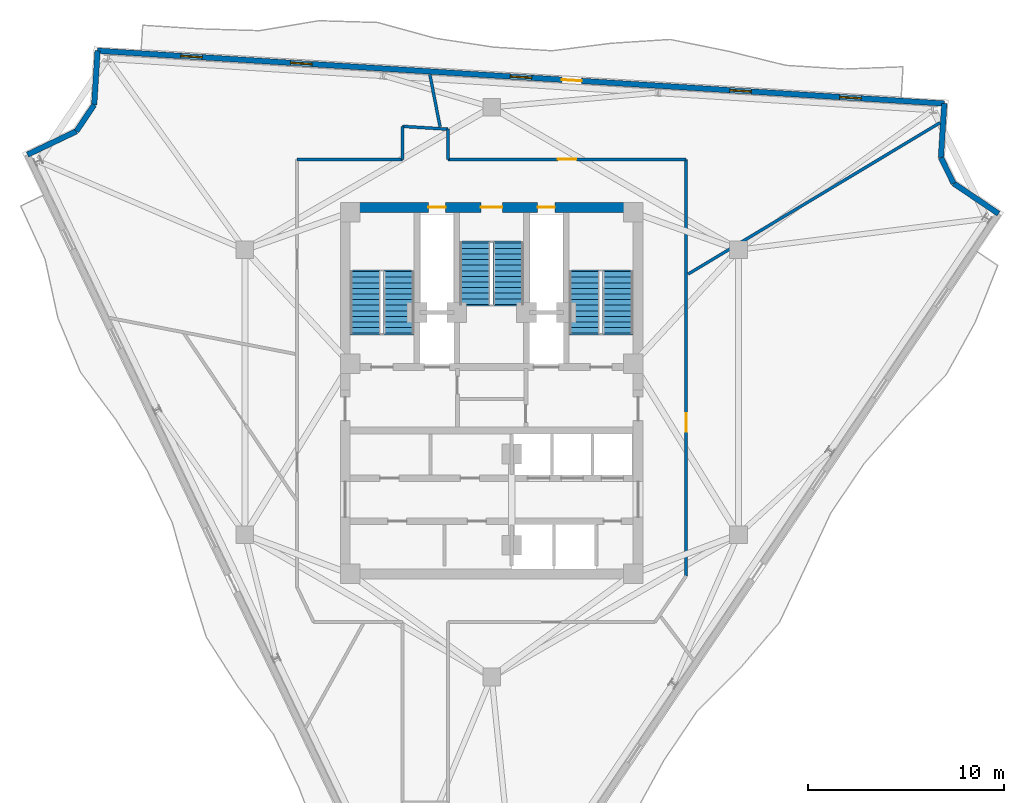
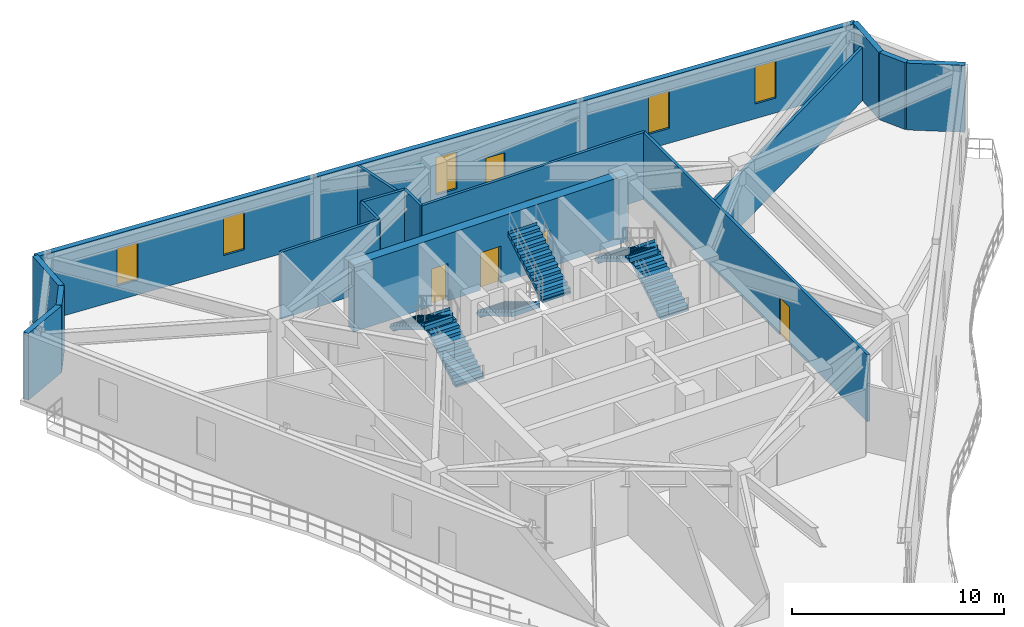
# One storey, part 7 of 10: 16 walls, 6 doors, 6 stair flights, 5 windows, 11 openings, 3 elements without a shape of their own.
"""IFC4 building model written with IfcOpenShell, lengths in metres."""

from ifc_helpers import new_model, si_unit, direction, frame, frame_2d, origin, place, context, subcontext, project, spatial, polyline, rectangle, outline, extrude, material, layer, layer_set, type_object, element, fill, aggregate, save


model = new_model("IFC4")

# Units and contexts
model_context = context("Model", 3, precision=1e-05, world=origin(), true_north=direction((0.0, 1.0)))
body_context = subcontext(model_context, "Body", "Model", "MODEL_VIEW")
ifc_project = project(units=[si_unit("LENGTHUNIT", "METRE"), si_unit("AREAUNIT", "SQUARE_METRE"), si_unit("VOLUMEUNIT", "CUBIC_METRE"), si_unit("PLANEANGLEUNIT", "RADIAN"), si_unit("MASSUNIT", "GRAM", prefix="KILO")], contexts=[model_context])

# Site, building, storey
site_placement = place(None, origin())
site = spatial("IfcSite", under=ifc_project, at=site_placement, CompositionType="ELEMENT")
building_placement = place(site_placement, origin())
building = spatial("IfcBuilding", under=site, at=building_placement, Name="Apsidion Concourse Tower", CompositionType="ELEMENT")
storey_placement = place(building_placement, frame((0.0, 0.0, 298.300048828125)))
storey = spatial("IfcBuildingStorey", under=building, at=storey_placement, Name="L70", CompositionType="ELEMENT", Elevation=298.300048828125)

# Wall, openings, door, windows
ifc_material_1 = material(Name="Precast concrete C40/50", Category="concrete")
ifc_layer_1 = layer(ifc_material_1, 0.280029296875)
ifc_layer_set_1 = layer_set([ifc_layer_1], Name="Precast concrete C40/50")
wall_type_1 = type_object("IfcWallType", Name="WL-EXT-280", PredefinedType="STANDARD", material=ifc_layer_set_1)
wall_1_placement = place(storey_placement, frame((-20.056396484375, 17.376220703125, 0.0), z_axis=(0.0, 0.0, 1.0), x_axis=(0.998061236898, -0.06223959674, 0.0)))
wall_1 = element("IfcWall", 1, at=wall_1_placement, inside=storey, type_object=wall_type_1, Name="L70 Precast Stone Facade Wall 01", PredefinedType="STANDARD", context=body_context, shape_type="SweptSolid", body=[
    extrude(rectangle(XDim=43.179931640625, YDim=0.280029296875, at=frame_2d((21.58984375, 0.0))), origin(), (0.0, 0.0, 1.0), 3.849853515625),
])
opening_1_placement = place(wall_1_placement, frame((23.680908203125, 0.0, 0.0)))
opening_1 = element("IfcOpeningElement", 2, at=opening_1_placement, cuts=wall_1, Name="Opening D-T1L", PredefinedType="OPENING", context=body_context, shape_type="SweptSolid", body=[
    extrude(rectangle(XDim=1.0, YDim=2.14990234375, at=frame_2d((0.5, 1.074951171875))), frame((0.0, 0.14990234375, 0.0), z_axis=(0.0, -1.0, 0.0), x_axis=(1.0, 0.0, 0.0)), (0.0, 0.0, 1.0), 0.300048828125),
])
opening_2_placement = place(wall_1_placement, frame((4.239990234375, 0.0, 0.85009765625)))
opening_2 = element("IfcOpeningElement", 3, at=opening_2_placement, cuts=wall_1, Name="Opening WN-07", PredefinedType="OPENING", context=body_context, shape_type="SweptSolid", body=[
    extrude(rectangle(XDim=1.10009765625, YDim=2.14990234375, at=frame_2d((0.550048828125, 1.074951171875))), frame((0.0, 0.14990234375, 0.0), z_axis=(0.0, -1.0, 0.0), x_axis=(1.0, 0.0, 0.0)), (0.0, 0.0, 1.0), 0.300048828125),
])
opening_3_placement = place(wall_1_placement, frame((9.840087890625, 0.0, 0.85009765625)))
opening_3 = element("IfcOpeningElement", 4, at=opening_3_placement, cuts=wall_1, Name="Opening WN-07", PredefinedType="OPENING", context=body_context, shape_type="SweptSolid", body=[
    extrude(rectangle(XDim=1.10009765625, YDim=2.14990234375, at=frame_2d((0.550048828125, 1.074951171875))), frame((0.0, 0.14990234375, 0.0), z_axis=(0.0, -1.0, 0.0), x_axis=(1.0, 0.0, 0.0)), (0.0, 0.0, 1.0), 0.300048828125),
])
opening_4_placement = place(wall_1_placement, frame((21.0400390625, 0.0, 0.85009765625)))
opening_4 = element("IfcOpeningElement", 5, at=opening_4_placement, cuts=wall_1, Name="Opening WN-07", PredefinedType="OPENING", context=body_context, shape_type="SweptSolid", body=[
    extrude(rectangle(XDim=1.10009765625, YDim=2.14990234375, at=frame_2d((0.550048828125, 1.074951171875))), frame((0.0, 0.14990234375, 0.0), z_axis=(0.0, -1.0, 0.0), x_axis=(1.0, 0.0, 0.0)), (0.0, 0.0, 1.0), 0.300048828125),
])
opening_5_placement = place(wall_1_placement, frame((32.239990234375, 0.0, 0.85009765625)))
opening_5 = element("IfcOpeningElement", 6, at=opening_5_placement, cuts=wall_1, Name="Opening WN-07", PredefinedType="OPENING", context=body_context, shape_type="SweptSolid", body=[
    extrude(rectangle(XDim=1.10009765625, YDim=2.14990234375, at=frame_2d((0.550048828125, 1.074951171875))), frame((0.0, 0.14990234375, 0.0), z_axis=(0.0, -1.0, 0.0), x_axis=(1.0, 0.0, 0.0)), (0.0, 0.0, 1.0), 0.300048828125),
])
opening_6_placement = place(wall_1_placement, frame((37.840087890625, 0.0, 0.85009765625)))
opening_6 = element("IfcOpeningElement", 7, at=opening_6_placement, cuts=wall_1, Name="Opening WN-07", PredefinedType="OPENING", context=body_context, shape_type="SweptSolid", body=[
    extrude(rectangle(XDim=1.10009765625, YDim=2.14990234375, at=frame_2d((0.550048828125, 1.074951171875))), frame((0.0, 0.14990234375, 0.0), z_axis=(0.0, -1.0, 0.0), x_axis=(1.0, 0.0, 0.0)), (0.0, 0.0, 1.0), 0.300048828125),
])
ifc_material_2 = material(Name="Anodised aluminium EN AW-6063 T6", Category="aluminium")
door_type_1 = type_object("IfcDoorType", Name="DR-TER-1022L", OperationType="SINGLE_SWING_LEFT", PredefinedType="DOOR", material=ifc_material_2)
door_1_placement = place(opening_1_placement, origin())
door_1 = element("IfcDoor", 8, at=door_1_placement, inside=storey, type_object=door_type_1, Name="L70 Balcony Access Door 3", OperationType="SINGLE_SWING_LEFT", OverallHeight=2.14990234375, OverallWidth=1.0, PredefinedType="DOOR", context=body_context, shape_type="SweptSolid", body=[
    extrude(rectangle(XDim=1.0, YDim=2.14990234375, at=frame_2d((0.5, 1.074951171875))), frame((0.0, 0.02490234375, 0.0), z_axis=(0.0, -1.0, 0.0), x_axis=(1.0, 0.0, 0.0)), (0.0, 0.0, 1.0), 0.050048828125),
])
fill(opening_1, door_1)
ifc_material_3 = material(Name="Insulated laminated low-E glass", Category="glass")
window_type = type_object("IfcWindowType", Name="WN-OFF-1123", PartitioningType="SINGLE_PANEL", PredefinedType="WINDOW", material=ifc_material_3)
window_1_placement = place(opening_2_placement, origin())
window_1 = element("IfcWindow", 9, at=window_1_placement, inside=storey, type_object=window_type, Name="L70 Punched Facade Window 1-01", OverallHeight=2.14990234375, OverallWidth=1.10009765625, PartitioningType="SINGLE_PANEL", PredefinedType="WINDOW", context=body_context, shape_type="SweptSolid", body=[
    extrude(rectangle(XDim=1.10009765625, YDim=2.14990234375, at=frame_2d((0.550048828125, 1.074951171875))), frame((0.0, 0.030029296875, 0.0), z_axis=(0.0, -1.0, 0.0), x_axis=(1.0, 0.0, 0.0)), (0.0, 0.0, 1.0), 0.06005859375),
])
fill(opening_2, window_1)
window_2_placement = place(opening_3_placement, origin())
window_2 = element("IfcWindow", 10, at=window_2_placement, inside=storey, type_object=window_type, Name="L70 Punched Facade Window 1-02", OverallHeight=2.14990234375, OverallWidth=1.10009765625, PartitioningType="SINGLE_PANEL", PredefinedType="WINDOW", context=body_context, shape_type="SweptSolid", body=[
    extrude(rectangle(XDim=1.10009765625, YDim=2.14990234375, at=frame_2d((0.550048828125, 1.074951171875))), frame((0.0, 0.030029296875, 0.0), z_axis=(0.0, -1.0, 0.0), x_axis=(1.0, 0.0, 0.0)), (0.0, 0.0, 1.0), 0.06005859375),
])
fill(opening_3, window_2)
window_3_placement = place(opening_4_placement, origin())
window_3 = element("IfcWindow", 11, at=window_3_placement, inside=storey, type_object=window_type, Name="L70 Punched Facade Window 1-04", OverallHeight=2.14990234375, OverallWidth=1.10009765625, PartitioningType="SINGLE_PANEL", PredefinedType="WINDOW", context=body_context, shape_type="SweptSolid", body=[
    extrude(rectangle(XDim=1.10009765625, YDim=2.14990234375, at=frame_2d((0.550048828125, 1.074951171875))), frame((0.0, 0.030029296875, 0.0), z_axis=(0.0, -1.0, 0.0), x_axis=(1.0, 0.0, 0.0)), (0.0, 0.0, 1.0), 0.06005859375),
])
fill(opening_4, window_3)
window_4_placement = place(opening_5_placement, origin())
window_4 = element("IfcWindow", 12, at=window_4_placement, inside=storey, type_object=window_type, Name="L70 Punched Facade Window 1-06", OverallHeight=2.14990234375, OverallWidth=1.10009765625, PartitioningType="SINGLE_PANEL", PredefinedType="WINDOW", context=body_context, shape_type="SweptSolid", body=[
    extrude(rectangle(XDim=1.10009765625, YDim=2.14990234375, at=frame_2d((0.550048828125, 1.074951171875))), frame((0.0, 0.030029296875, 0.0), z_axis=(0.0, -1.0, 0.0), x_axis=(1.0, 0.0, 0.0)), (0.0, 0.0, 1.0), 0.06005859375),
])
fill(opening_5, window_4)
window_5_placement = place(opening_6_placement, origin())
window_5 = element("IfcWindow", 13, at=window_5_placement, inside=storey, type_object=window_type, Name="L70 Punched Facade Window 1-07", OverallHeight=2.14990234375, OverallWidth=1.10009765625, PartitioningType="SINGLE_PANEL", PredefinedType="WINDOW", context=body_context, shape_type="SweptSolid", body=[
    extrude(rectangle(XDim=1.10009765625, YDim=2.14990234375, at=frame_2d((0.550048828125, 1.074951171875))), frame((0.0, 0.030029296875, 0.0), z_axis=(0.0, -1.0, 0.0), x_axis=(1.0, 0.0, 0.0)), (0.0, 0.0, 1.0), 0.06005859375),
])
fill(opening_6, window_5)

# Walls
wall_2_placement = place(storey_placement, frame((23.039794921875, 14.688720703125, 0.0), z_axis=(0.0, 0.0, 1.0), x_axis=(-0.062295651102, -0.998057739739, 0.0)))
element("IfcWall", 14, at=wall_2_placement, inside=storey, type_object=wall_type_1, Name="L70 Precast Stone Facade Wall 02", PredefinedType="STANDARD", context=body_context, shape_type="SweptSolid", body=[
    extrude(rectangle(XDim=2.759033203125, YDim=0.280029296875, at=frame_2d((1.37939453125, 0.0))), origin(), (0.0, 0.0, 1.0), 3.849853515625),
])
wall_3_placement = place(storey_placement, frame((22.867919921875, 11.93505859375, 0.0), z_axis=(0.0, 0.0, 1.0), x_axis=(0.441785524615, -0.897120699929, 0.0)))
element("IfcWall", 15, at=wall_3_placement, inside=storey, type_object=wall_type_1, Name="L70 Precast Stone Facade Wall 03", PredefinedType="STANDARD", context=body_context, shape_type="SweptSolid", body=[
    extrude(rectangle(XDim=1.45947265625, YDim=0.280029296875, at=frame_2d((0.729736328125, 0.0))), origin(), (0.0, 0.0, 1.0), 3.849853515625),
])
wall_4_placement = place(storey_placement, frame((23.5126953125, 10.625732421875, 0.0), z_axis=(0.0, 0.0, 1.0), x_axis=(0.829056864924, -0.559164300294, 0.0)))
element("IfcWall", 16, at=wall_4_placement, inside=storey, type_object=wall_type_1, Name="L70 Precast Stone Facade Wall 04", PredefinedType="STANDARD", context=body_context, shape_type="SweptSolid", body=[
    extrude(rectangle(XDim=2.759033203125, YDim=0.280029296875, at=frame_2d((1.37939453125, 0.0))), origin(), (0.0, 0.0, 1.0), 3.849853515625),
])
wall_5_placement = place(storey_placement, frame((-23.62451171875, 12.0869140625, 0.0), z_axis=(0.0, 0.0, 1.0), x_axis=(0.902092306117, 0.431543127909, 0.0)))
element("IfcWall", 17, at=wall_5_placement, inside=storey, type_object=wall_type_1, Name="L70 Precast Stone Facade Wall 10", PredefinedType="STANDARD", context=body_context, shape_type="SweptSolid", body=[
    extrude(rectangle(XDim=2.76025390625, YDim=0.280029296875, at=frame_2d((1.380126953125, 0.0))), origin(), (0.0, 0.0, 1.0), 3.849853515625),
])
wall_6_placement = place(storey_placement, frame((-21.134521484375, 13.278076171875, 0.0), z_axis=(0.0, 0.0, 1.0), x_axis=(0.559107950815, 0.829094867512, 0.0)))
element("IfcWall", 18, at=wall_6_placement, inside=storey, type_object=wall_type_1, Name="L70 Precast Stone Facade Wall 11", PredefinedType="STANDARD", context=body_context, shape_type="SweptSolid", body=[
    extrude(rectangle(XDim=1.620361328125, YDim=0.280029296875, at=frame_2d((0.81005859375, 0.0))), origin(), (0.0, 0.0, 1.0), 3.849853515625),
])
wall_7_placement = place(storey_placement, frame((-20.228515625, 14.62158203125, 0.0), z_axis=(0.0, 0.0, 1.0), x_axis=(0.062361765106, 0.998053610911, 0.0)))
element("IfcWall", 19, at=wall_7_placement, inside=storey, type_object=wall_type_1, Name="L70 Precast Stone Facade Wall 12", PredefinedType="STANDARD", context=body_context, shape_type="SweptSolid", body=[
    extrude(rectangle(XDim=2.760009765625, YDim=0.280029296875, at=frame_2d((1.3798828125, 0.0))), origin(), (0.0, 0.0, 1.0), 3.849853515625),
])
ifc_material_4 = material(Name="Gypsum plasterboard partition")
ifc_layer_2 = layer(ifc_material_4, 0.14990234375)
ifc_layer_set_2 = layer_set([ifc_layer_2], Name="Gypsum plasterboard partition")
wall_type_2 = type_object("IfcWallType", Name="WL-INT-PAR-150", PredefinedType="PARTITIONING", material=ifc_layer_set_2)
wall_8_placement = place(storey_placement, frame((-9.89990234375, 11.85009765625, 0.0), z_axis=(0.0, 0.0, 1.0), x_axis=(1.0, 0.0, 0.0)))
element("IfcWall", 20, at=wall_8_placement, inside=storey, type_object=wall_type_2, Name="L70 Interior Partition WL-L70-CORR-04", PredefinedType="PARTITIONING", context=body_context, shape_type="SweptSolid", body=[
    extrude(rectangle(XDim=5.369873046875, YDim=0.14990234375, at=frame_2d((2.68505859375, 0.0))), origin(), (0.0, 0.0, 1.0), 3.849853515625),
])
wall_9_placement = place(storey_placement, frame((-4.530029296875, 11.85009765625, 0.0), z_axis=(0.0, 0.0, 1.0), x_axis=(0.0, 1.0, 0.0)))
element("IfcWall", 21, at=wall_9_placement, inside=storey, type_object=wall_type_2, Name="L70 Interior Partition WL-L70-CORR-05", PredefinedType="PARTITIONING", context=body_context, shape_type="SweptSolid", body=[
    extrude(rectangle(XDim=1.67724609375, YDim=0.14990234375, at=frame_2d((0.838623046875, 0.0))), origin(), (0.0, 0.0, 1.0), 3.849853515625),
])
wall_10_placement = place(storey_placement, frame((-4.530029296875, 13.52734375, 0.0), z_axis=(0.0, 0.0, 1.0), x_axis=(0.998061597532, -0.062233813416, 0.0)))
element("IfcWall", 22, at=wall_10_placement, inside=storey, type_object=wall_type_2, Name="L70 Interior Partition WL-L70-CORR-06", PredefinedType="PARTITIONING", context=body_context, shape_type="SweptSolid", body=[
    extrude(rectangle(XDim=2.314453125, YDim=0.14990234375, at=frame_2d((1.1572265625, 0.0))), origin(), (0.0, 0.0, 1.0), 3.849853515625),
])
wall_11_placement = place(storey_placement, frame((-2.219970703125, 13.38330078125, 0.0), z_axis=(0.0, 0.0, 1.0), x_axis=(0.0, -1.0, 0.0)))
element("IfcWall", 23, at=wall_11_placement, inside=storey, type_object=wall_type_2, Name="L70 Interior Partition WL-L70-CORR-07", PredefinedType="PARTITIONING", context=body_context, shape_type="SweptSolid", body=[
    extrude(rectangle(XDim=1.533203125, YDim=0.14990234375, at=frame_2d((0.7666015625, 0.0))), origin(), (0.0, 0.0, 1.0), 3.849853515625),
])

# Wall, opening, door
wall_12_placement = place(storey_placement, frame((-2.219970703125, 11.85009765625, 0.0), z_axis=(0.0, 0.0, 1.0), x_axis=(1.0, 0.0, 0.0)))
wall_12 = element("IfcWall", 24, at=wall_12_placement, inside=storey, type_object=wall_type_2, Name="L70 Interior Partition WL-L70-CORR-08", PredefinedType="PARTITIONING", context=body_context, shape_type="SweptSolid", body=[
    extrude(rectangle(XDim=12.119873046875, YDim=0.14990234375, at=frame_2d((6.06005859375, 0.0))), origin(), (0.0, 0.0, 1.0), 3.849853515625),
])
opening_7_placement = place(wall_12_placement, frame((5.5849609375, 0.0, 0.0)))
opening_7 = element("IfcOpeningElement", 25, at=opening_7_placement, cuts=wall_12, Name="Opening D-01R", PredefinedType="OPENING", context=body_context, shape_type="SweptSolid", body=[
    extrude(rectangle(XDim=0.949951171875, YDim=2.14990234375, at=frame_2d((0.47509765625, 1.074951171875))), frame((0.0, 0.0849609375, 0.0), z_axis=(0.0, -1.0, 0.0), x_axis=(1.0, 0.0, 0.0)), (0.0, 0.0, 1.0), 0.169921875),
])
ifc_material_5 = material(Name="Brushed stainless steel 316", Category="steel")
door_type_2 = type_object("IfcDoorType", Name="DR-INT-D01R", OperationType="SINGLE_SWING_RIGHT", PredefinedType="DOOR", material=ifc_material_5)
door_2_placement = place(opening_7_placement, origin())
door_2 = element("IfcDoor", 26, at=door_2_placement, inside=storey, type_object=door_type_2, Name="L70 Corridor Entry Door 04", OperationType="SINGLE_SWING_RIGHT", OverallHeight=2.14990234375, OverallWidth=0.949951171875, PredefinedType="DOOR", context=body_context, shape_type="SweptSolid", body=[
    extrude(rectangle(XDim=0.949951171875, YDim=2.14990234375, at=frame_2d((0.47509765625, 1.074951171875))), frame((0.0, 0.02490234375, 0.0), z_axis=(0.0, -1.0, 0.0), x_axis=(1.0, 0.0, 0.0)), (0.0, 0.0, 1.0), 0.050048828125),
])
fill(opening_7, door_2)

wall_13_placement = place(storey_placement, frame((9.89990234375, 11.85009765625, 0.0), z_axis=(0.0, 0.0, 1.0), x_axis=(0.0, -1.0, 0.0)))
wall_13 = element("IfcWall", 27, at=wall_13_placement, inside=storey, type_object=wall_type_2, Name="L70 Interior Partition WL-L70-CORR-09", PredefinedType="PARTITIONING", context=body_context, shape_type="SweptSolid", body=[
    extrude(rectangle(XDim=21.198486328125, YDim=0.14990234375, at=frame_2d((10.59912109375, 0.0))), origin(), (0.0, 0.0, 1.0), 3.849853515625),
])
opening_8_placement = place(wall_13_placement, frame((12.92041015625, 0.0, 0.0)))
opening_8 = element("IfcOpeningElement", 28, at=opening_8_placement, cuts=wall_13, Name="Opening D-01L", PredefinedType="OPENING", context=body_context, shape_type="SweptSolid", body=[
    extrude(rectangle(XDim=0.949951171875, YDim=2.14990234375, at=frame_2d((0.47509765625, 1.074951171875))), frame((0.0, 0.0849609375, 0.0), z_axis=(0.0, -1.0, 0.0), x_axis=(1.0, 0.0, 0.0)), (0.0, 0.0, 1.0), 0.169921875),
])
door_type_3 = type_object("IfcDoorType", Name="DR-INT-D01L", OperationType="SINGLE_SWING_LEFT", PredefinedType="DOOR", material=ifc_material_5)
door_3_placement = place(opening_8_placement, origin())
door_3 = element("IfcDoor", 29, at=door_3_placement, inside=storey, type_object=door_type_3, Name="L70 Corridor Entry Door 03", OperationType="SINGLE_SWING_LEFT", OverallHeight=2.14990234375, OverallWidth=0.949951171875, PredefinedType="DOOR", context=body_context, shape_type="SweptSolid", body=[
    extrude(rectangle(XDim=0.949951171875, YDim=2.14990234375, at=frame_2d((0.47509765625, 1.074951171875))), frame((0.0, 0.02490234375, 0.0), z_axis=(0.0, -1.0, 0.0), x_axis=(1.0, 0.0, 0.0)), (0.0, 0.0, 1.0), 0.050048828125),
])
fill(opening_8, door_3)

# Walls
wall_14_placement = place(storey_placement, frame((10.0048828125, 6.01171875, 0.0), z_axis=(0.0, 0.0, 1.0), x_axis=(0.857168647031, 0.515035834236, 0.0)))
element("IfcWall", 30, at=wall_14_placement, inside=storey, type_object=wall_type_2, Name="L70 Interior Partition WL-L70-RAD-01-1", PredefinedType="PARTITIONING", context=body_context, shape_type="SweptSolid", body=[
    extrude(rectangle(XDim=14.95458984375, YDim=0.14990234375, at=frame_2d((7.477294921875, 0.0))), origin(), (0.0, 0.0, 1.0), 3.06005859375),
])
wall_15_placement = place(storey_placement, frame((-2.626708984375, 13.513916015625, 0.0), z_axis=(0.0, 0.0, 1.0), x_axis=(-0.190830963929, 0.981622912939, 0.0)))
element("IfcWall", 31, at=wall_15_placement, inside=storey, type_object=wall_type_2, Name="L70 Interior Partition WL-L70-RAD-02-1", PredefinedType="PARTITIONING", context=body_context, shape_type="SweptSolid", body=[
    extrude(rectangle(XDim=2.701904296875, YDim=0.14990234375, at=frame_2d((1.35107421875, 0.0))), origin(), (0.0, 0.0, 1.0), 3.849853515625),
])

# Wall, openings, doors
ifc_material_6 = material(Name="Concrete C50/60", Category="concrete")
ifc_layer_3 = layer(ifc_material_6, 0.5)
ifc_layer_set_3 = layer_set([ifc_layer_3], Name="Concrete C50/60")
wall_type_3 = type_object("IfcWallType", Name="WL-SH-500", PredefinedType="SHEAR", material=ifc_layer_set_3)
wall_16_placement = place(storey_placement, frame((-7.449951171875, 9.39990234375, 0.0), z_axis=(0.0, 0.0, 1.0), x_axis=(1.0, 0.0, 0.0)))
wall_16 = element("IfcWall", 32, at=wall_16_placement, inside=storey, type_object=wall_type_3, Name="L70 Central Core Shear Wall N", PredefinedType="SHEAR", context=body_context, shape_type="SweptSolid", body=[
    extrude(rectangle(XDim=14.89990234375, YDim=0.5, at=frame_2d((7.449951171875, 0.0))), origin(), (0.0, 0.0, 1.0), 3.849853515625),
])
opening_9_placement = place(wall_16_placement, frame((6.89990234375, 0.0, 0.0)))
opening_9 = element("IfcOpeningElement", 33, at=opening_9_placement, cuts=wall_16, Name="Opening D-STL", PredefinedType="OPENING", context=body_context, shape_type="SweptSolid", body=[
    extrude(rectangle(XDim=1.10009765625, YDim=2.14990234375, at=frame_2d((0.550048828125, 1.074951171875))), frame((0.0, 0.260009765625, 0.0), z_axis=(0.0, -1.0, 0.0), x_axis=(1.0, 0.0, 0.0)), (0.0, 0.0, 1.0), 0.52001953125),
])
opening_10_placement = place(wall_16_placement, frame((4.22998046875, 0.0, 0.0)))
opening_10 = element("IfcOpeningElement", 34, at=opening_10_placement, cuts=wall_16, Name="Opening D-05L", PredefinedType="OPENING", context=body_context, shape_type="SweptSolid", body=[
    extrude(rectangle(XDim=0.8798828125, YDim=2.14990234375, at=frame_2d((0.43994140625, 1.074951171875))), frame((0.0, 0.260009765625, 0.0), z_axis=(0.0, -1.0, 0.0), x_axis=(1.0, 0.0, 0.0)), (0.0, 0.0, 1.0), 0.52001953125),
])
opening_11_placement = place(wall_16_placement, frame((9.7900390625, 0.0, 0.0)))
opening_11 = element("IfcOpeningElement", 35, at=opening_11_placement, cuts=wall_16, Name="Opening D-05R", PredefinedType="OPENING", context=body_context, shape_type="SweptSolid", body=[
    extrude(rectangle(XDim=0.8798828125, YDim=2.14990234375, at=frame_2d((0.43994140625, 1.074951171875))), frame((0.0, 0.260009765625, 0.0), z_axis=(0.0, -1.0, 0.0), x_axis=(1.0, 0.0, 0.0)), (0.0, 0.0, 1.0), 0.52001953125),
])
door_type_4 = type_object("IfcDoorType", Name="DR-INT-D05L", OperationType="SINGLE_SWING_LEFT", PredefinedType="DOOR", material=ifc_material_5)
door_4_placement = place(opening_10_placement, origin())
door_4 = element("IfcDoor", 36, at=door_4_placement, inside=storey, type_object=door_type_4, Name="L70 Electrical Riser Shaft Access Door", OperationType="SINGLE_SWING_LEFT", OverallHeight=2.14990234375, OverallWidth=0.8798828125, PredefinedType="DOOR", context=body_context, shape_type="SweptSolid", body=[
    extrude(rectangle(XDim=0.8798828125, YDim=2.14990234375, at=frame_2d((0.43994140625, 1.074951171875))), frame((0.0, 0.02490234375, 0.0), z_axis=(0.0, -1.0, 0.0), x_axis=(1.0, 0.0, 0.0)), (0.0, 0.0, 1.0), 0.050048828125),
])
fill(opening_10, door_4)
door_type_5 = type_object("IfcDoorType", Name="DR-INT-D05R", OperationType="SINGLE_SWING_RIGHT", PredefinedType="DOOR", material=ifc_material_5)
door_5_placement = place(opening_11_placement, origin())
door_5 = element("IfcDoor", 37, at=door_5_placement, inside=storey, type_object=door_type_5, Name="L70 Mechanical Riser Shaft Access Door", OperationType="SINGLE_SWING_RIGHT", OverallHeight=2.14990234375, OverallWidth=0.8798828125, PredefinedType="DOOR", context=body_context, shape_type="SweptSolid", body=[
    extrude(rectangle(XDim=0.8798828125, YDim=2.14990234375, at=frame_2d((0.43994140625, 1.074951171875))), frame((0.0, 0.02490234375, 0.0), z_axis=(0.0, -1.0, 0.0), x_axis=(1.0, 0.0, 0.0)), (0.0, 0.0, 1.0), 0.050048828125),
])
fill(opening_11, door_5)
door_type_6 = type_object("IfcDoorType", Name="DR-INT-ST1L", OperationType="SINGLE_SWING_LEFT", PredefinedType="DOOR", material=ifc_material_5)
door_6_placement = place(opening_9_placement, origin())
door_6 = element("IfcDoor", 38, at=door_6_placement, inside=storey, type_object=door_type_6, Name="L70 Core Exit Stair ST3 Door", OperationType="SINGLE_SWING_LEFT", OverallHeight=2.14990234375, OverallWidth=1.10009765625, PredefinedType="DOOR", context=body_context, shape_type="SweptSolid", body=[
    extrude(rectangle(XDim=1.10009765625, YDim=2.14990234375, at=frame_2d((0.550048828125, 1.074951171875))), frame((0.0, 0.02490234375, 0.0), z_axis=(0.0, -1.0, 0.0), x_axis=(1.0, 0.0, 0.0)), (0.0, 0.0, 1.0), 0.050048828125),
])
fill(opening_9, door_6)

# Stair, stair flights
stair_type = type_object("IfcStairType", Name="ST-DL-1550", PredefinedType="HALF_TURN_STAIR", material=ifc_material_1)
stair_1_placement = place(storey_placement, origin())
stair_1 = element("IfcStair", 39, at=stair_1_placement, inside=storey, type_object=stair_type, Name="L70 Protected Core Exit Stair ST1", PredefinedType="HALF_TURN_STAIR")
stair_flight_type = type_object("IfcStairFlightType", Name="SFL-RC-1550", PredefinedType="STRAIGHT", material=ifc_material_1)
stair_flight_1_placement = place(storey_placement, frame((-4.72509765625, 3.0, 0.0), z_axis=(0.0, 0.0, 1.0), x_axis=(0.0, 1.0, 0.0)))
stair_flight_1 = element("IfcStairFlight", 40, at=stair_flight_1_placement, type_object=stair_flight_type, Name="ST1 flight 1", NumberOfRisers=12, NumberOfTreads=11, PredefinedType="STRAIGHT", RiserHeight=0.170833333, TreadLength=0.285, context=body_context, shape_type="SweptSolid", body=[
    extrude(outline(polyline([(-0.080078125, -0.1123046875), (-0.080078125, 0.0), (0.0, 0.0), (0.0, 0.1708984375), (0.284912109375, 0.1708984375), (0.284912109375, 0.341552734375), (0.570068359375, 0.341552734375), (0.570068359375, 0.512451171875), (0.85498046875, 0.512451171875), (0.85498046875, 0.683349609375), (1.139892578125, 0.683349609375), (1.139892578125, 0.854248046875), (1.425048828125, 0.854248046875), (1.425048828125, 1.02490234375), (1.7099609375, 1.02490234375), (1.7099609375, 1.19580078125), (1.9951171875, 1.19580078125), (1.9951171875, 1.36669921875), (2.280029296875, 1.36669921875), (2.280029296875, 1.53759765625), (2.56494140625, 1.53759765625), (2.56494140625, 1.708251953125), (2.85009765625, 1.708251953125), (2.85009765625, 1.879150390625), (3.135009765625, 1.879150390625), (3.135009765625, 2.050048828125), (3.215087890625, 1.964599609375), (3.215087890625, 1.704345703125), (3.135009765625, 1.704345703125), (0.29150390625, 0.0), (0.29150390625, -0.1123046875), (-0.080078125, -0.1123046875)])), frame((0.0, 0.77490234375, 0.0), z_axis=(0.0, -1.0, 0.0), x_axis=(1.0, 0.0, 0.0)), (0.0, 0.0, 1.0), 1.550048828125),
])
stair_flight_2_placement = place(storey_placement, frame((-6.425048828125, 6.135009765625, 2.050048828125), z_axis=(0.0, 0.0, 1.0), x_axis=(0.0, -1.0, 0.0)))
stair_flight_2 = element("IfcStairFlight", 41, at=stair_flight_2_placement, type_object=stair_flight_type, Name="ST1 flight 2", NumberOfRisers=12, NumberOfTreads=11, PredefinedType="STRAIGHT", RiserHeight=0.170833333, TreadLength=0.285, context=body_context, shape_type="SweptSolid", body=[
    extrude(outline(polyline([(-0.080078125, -0.1123046875), (-0.080078125, 0.0), (0.0, 0.0), (0.0, 0.1708984375), (0.284912109375, 0.1708984375), (0.284912109375, 0.341552734375), (0.570068359375, 0.341552734375), (0.570068359375, 0.512451171875), (0.85498046875, 0.512451171875), (0.85498046875, 0.683349609375), (1.139892578125, 0.683349609375), (1.139892578125, 0.854248046875), (1.425048828125, 0.854248046875), (1.425048828125, 1.02490234375), (1.7099609375, 1.02490234375), (1.7099609375, 1.19580078125), (1.9951171875, 1.19580078125), (1.9951171875, 1.36669921875), (2.280029296875, 1.36669921875), (2.280029296875, 1.53759765625), (2.56494140625, 1.53759765625), (2.56494140625, 1.708251953125), (2.85009765625, 1.708251953125), (2.85009765625, 1.879150390625), (3.135009765625, 1.879150390625), (3.135009765625, 2.050048828125), (3.215087890625, 1.964599609375), (3.215087890625, 1.704345703125), (3.135009765625, 1.704345703125), (0.29150390625, 0.0), (0.29150390625, -0.1123046875), (-0.080078125, -0.1123046875)])), frame((0.0, 0.77490234375, 0.0), z_axis=(0.0, -1.0, 0.0), x_axis=(1.0, 0.0, 0.0)), (0.0, 0.0, 1.0), 1.550048828125),
])
aggregate(stair_1, [stair_flight_1, stair_flight_2])

stair_2_placement = place(storey_placement, origin())
stair_2 = element("IfcStair", 42, at=stair_2_placement, inside=storey, type_object=stair_type, Name="L70 Protected Core Exit Stair ST2", PredefinedType="HALF_TURN_STAIR")
stair_flight_3_placement = place(storey_placement, frame((6.425048828125, 3.0, 0.0), z_axis=(0.0, 0.0, 1.0), x_axis=(0.0, 1.0, 0.0)))
stair_flight_3 = element("IfcStairFlight", 43, at=stair_flight_3_placement, type_object=stair_flight_type, Name="ST2 flight 1", NumberOfRisers=12, NumberOfTreads=11, PredefinedType="STRAIGHT", RiserHeight=0.170833333, TreadLength=0.285, context=body_context, shape_type="SweptSolid", body=[
    extrude(outline(polyline([(-0.080078125, -0.1123046875), (-0.080078125, 0.0), (0.0, 0.0), (0.0, 0.1708984375), (0.284912109375, 0.1708984375), (0.284912109375, 0.341552734375), (0.570068359375, 0.341552734375), (0.570068359375, 0.512451171875), (0.85498046875, 0.512451171875), (0.85498046875, 0.683349609375), (1.139892578125, 0.683349609375), (1.139892578125, 0.854248046875), (1.425048828125, 0.854248046875), (1.425048828125, 1.02490234375), (1.7099609375, 1.02490234375), (1.7099609375, 1.19580078125), (1.9951171875, 1.19580078125), (1.9951171875, 1.36669921875), (2.280029296875, 1.36669921875), (2.280029296875, 1.53759765625), (2.56494140625, 1.53759765625), (2.56494140625, 1.708251953125), (2.85009765625, 1.708251953125), (2.85009765625, 1.879150390625), (3.135009765625, 1.879150390625), (3.135009765625, 2.050048828125), (3.215087890625, 1.964599609375), (3.215087890625, 1.704345703125), (3.135009765625, 1.704345703125), (0.29150390625, 0.0), (0.29150390625, -0.1123046875), (-0.080078125, -0.1123046875)])), frame((0.0, 0.77490234375, 0.0), z_axis=(0.0, -1.0, 0.0), x_axis=(1.0, 0.0, 0.0)), (0.0, 0.0, 1.0), 1.550048828125),
])
stair_flight_4_placement = place(storey_placement, frame((4.72509765625, 6.135009765625, 2.050048828125), z_axis=(0.0, 0.0, 1.0), x_axis=(0.0, -1.0, 0.0)))
stair_flight_4 = element("IfcStairFlight", 44, at=stair_flight_4_placement, type_object=stair_flight_type, Name="ST2 flight 2", NumberOfRisers=12, NumberOfTreads=11, PredefinedType="STRAIGHT", RiserHeight=0.170833333, TreadLength=0.285, context=body_context, shape_type="SweptSolid", body=[
    extrude(outline(polyline([(-0.080078125, -0.1123046875), (-0.080078125, 0.0), (0.0, 0.0), (0.0, 0.1708984375), (0.284912109375, 0.1708984375), (0.284912109375, 0.341552734375), (0.570068359375, 0.341552734375), (0.570068359375, 0.512451171875), (0.85498046875, 0.512451171875), (0.85498046875, 0.683349609375), (1.139892578125, 0.683349609375), (1.139892578125, 0.854248046875), (1.425048828125, 0.854248046875), (1.425048828125, 1.02490234375), (1.7099609375, 1.02490234375), (1.7099609375, 1.19580078125), (1.9951171875, 1.19580078125), (1.9951171875, 1.36669921875), (2.280029296875, 1.36669921875), (2.280029296875, 1.53759765625), (2.56494140625, 1.53759765625), (2.56494140625, 1.708251953125), (2.85009765625, 1.708251953125), (2.85009765625, 1.879150390625), (3.135009765625, 1.879150390625), (3.135009765625, 2.050048828125), (3.215087890625, 1.964599609375), (3.215087890625, 1.704345703125), (3.135009765625, 1.704345703125), (0.29150390625, 0.0), (0.29150390625, -0.1123046875), (-0.080078125, -0.1123046875)])), frame((0.0, 0.77490234375, 0.0), z_axis=(0.0, -1.0, 0.0), x_axis=(1.0, 0.0, 0.0)), (0.0, 0.0, 1.0), 1.550048828125),
])
aggregate(stair_2, [stair_flight_3, stair_flight_4])

stair_3_placement = place(storey_placement, origin())
stair_3 = element("IfcStair", 45, at=stair_3_placement, inside=storey, type_object=stair_type, Name="L70 Protected Core Exit Stair ST3", PredefinedType="HALF_TURN_STAIR")
stair_flight_5_placement = place(storey_placement, frame((-0.85009765625, 7.60009765625, 0.0), z_axis=(0.0, 0.0, 1.0), x_axis=(0.0, -1.0, 0.0)))
stair_flight_5 = element("IfcStairFlight", 46, at=stair_flight_5_placement, type_object=stair_flight_type, Name="ST3 flight 1", NumberOfRisers=12, NumberOfTreads=11, PredefinedType="STRAIGHT", RiserHeight=0.170833333, TreadLength=0.285, context=body_context, shape_type="SweptSolid", body=[
    extrude(outline(polyline([(-0.080078125, -0.1123046875), (-0.080078125, 0.0), (0.0, 0.0), (0.0, 0.1708984375), (0.284912109375, 0.1708984375), (0.284912109375, 0.341552734375), (0.570068359375, 0.341552734375), (0.570068359375, 0.512451171875), (0.85498046875, 0.512451171875), (0.85498046875, 0.683349609375), (1.139892578125, 0.683349609375), (1.139892578125, 0.854248046875), (1.425048828125, 0.854248046875), (1.425048828125, 1.02490234375), (1.7099609375, 1.02490234375), (1.7099609375, 1.19580078125), (1.9951171875, 1.19580078125), (1.9951171875, 1.36669921875), (2.280029296875, 1.36669921875), (2.280029296875, 1.53759765625), (2.56494140625, 1.53759765625), (2.56494140625, 1.708251953125), (2.85009765625, 1.708251953125), (2.85009765625, 1.879150390625), (3.135009765625, 1.879150390625), (3.135009765625, 2.050048828125), (3.215087890625, 1.964599609375), (3.215087890625, 1.704345703125), (3.135009765625, 1.704345703125), (0.29150390625, 0.0), (0.29150390625, -0.1123046875), (-0.080078125, -0.1123046875)])), frame((0.0, 0.77490234375, 0.0), z_axis=(0.0, -1.0, 0.0), x_axis=(1.0, 0.0, 0.0)), (0.0, 0.0, 1.0), 1.550048828125),
])
stair_flight_6_placement = place(storey_placement, frame((0.85009765625, 4.465087890625, 2.050048828125), z_axis=(0.0, 0.0, 1.0), x_axis=(0.0, 1.0, 0.0)))
stair_flight_6 = element("IfcStairFlight", 47, at=stair_flight_6_placement, type_object=stair_flight_type, Name="ST3 flight 2", NumberOfRisers=12, NumberOfTreads=11, PredefinedType="STRAIGHT", RiserHeight=0.170833333, TreadLength=0.285, context=body_context, shape_type="SweptSolid", body=[
    extrude(outline(polyline([(-0.080078125, -0.1123046875), (-0.080078125, 0.0), (0.0, 0.0), (0.0, 0.1708984375), (0.284912109375, 0.1708984375), (0.284912109375, 0.341552734375), (0.570068359375, 0.341552734375), (0.570068359375, 0.512451171875), (0.85498046875, 0.512451171875), (0.85498046875, 0.683349609375), (1.139892578125, 0.683349609375), (1.139892578125, 0.854248046875), (1.425048828125, 0.854248046875), (1.425048828125, 1.02490234375), (1.7099609375, 1.02490234375), (1.7099609375, 1.19580078125), (1.9951171875, 1.19580078125), (1.9951171875, 1.36669921875), (2.280029296875, 1.36669921875), (2.280029296875, 1.53759765625), (2.56494140625, 1.53759765625), (2.56494140625, 1.708251953125), (2.85009765625, 1.708251953125), (2.85009765625, 1.879150390625), (3.135009765625, 1.879150390625), (3.135009765625, 2.050048828125), (3.215087890625, 1.964599609375), (3.215087890625, 1.704345703125), (3.135009765625, 1.704345703125), (0.29150390625, 0.0), (0.29150390625, -0.1123046875), (-0.080078125, -0.1123046875)])), frame((0.0, 0.77490234375, 0.0), z_axis=(0.0, -1.0, 0.0), x_axis=(1.0, 0.0, 0.0)), (0.0, 0.0, 1.0), 1.550048828125),
])
aggregate(stair_3, [stair_flight_5, stair_flight_6])

save(model, "model.ifc")
